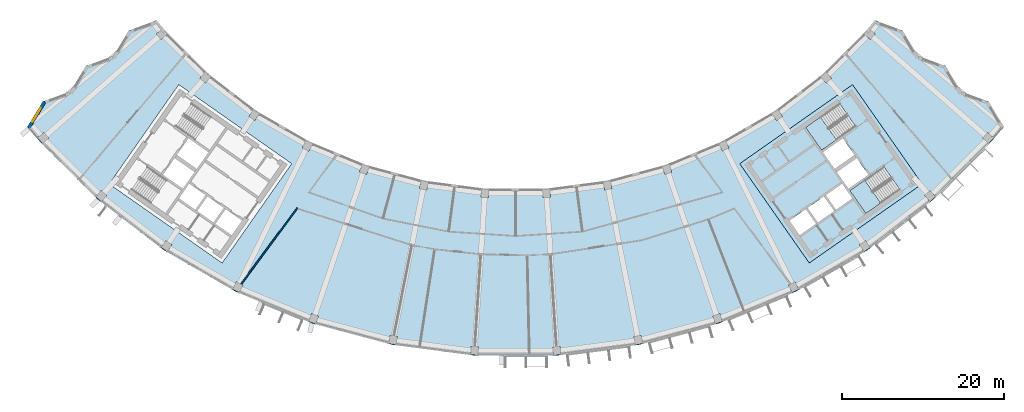
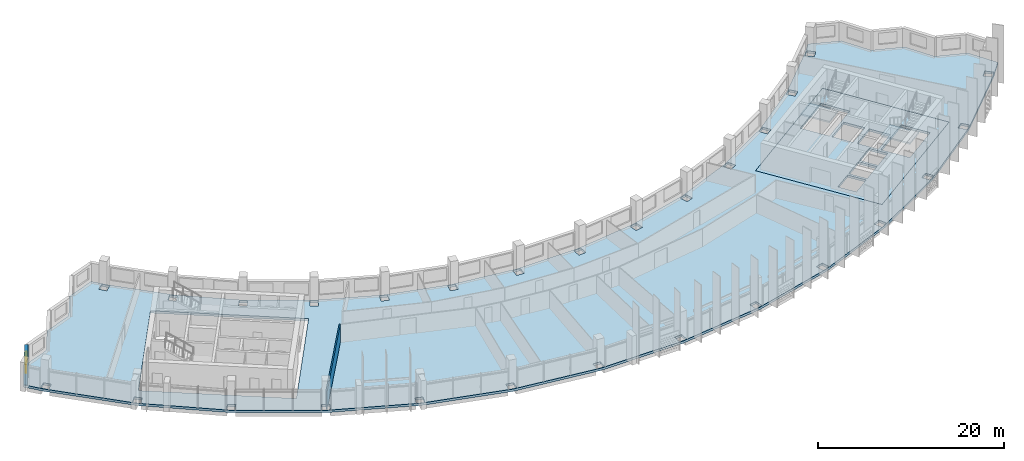
# One storey, part 2 of 28: 4 slabs, 2 walls, 1 window, 1 opening, 2 elements without a shape of their own.
"""IFC4 building model written with IfcOpenShell, lengths in metres."""

from ifc_helpers import new_model, si_unit, direction, frame, frame_2d, origin, place, context, subcontext, project, spatial, polyline, rectangle, outline, extrude, material, layer, layer_set, type_object, element, fill, aggregate, save


model = new_model("IFC4")

# Units and contexts
model_context = context("Model", 3, precision=1e-05, world=origin(), true_north=direction((0.0, 1.0)))
body_context = subcontext(model_context, "Body", "Model", "MODEL_VIEW")
ifc_project = project(units=[si_unit("LENGTHUNIT", "METRE"), si_unit("AREAUNIT", "SQUARE_METRE"), si_unit("VOLUMEUNIT", "CUBIC_METRE"), si_unit("PLANEANGLEUNIT", "RADIAN"), si_unit("MASSUNIT", "GRAM", prefix="KILO")], contexts=[model_context])

# Site, building, storey
site_placement = place(None, origin())
site = spatial("IfcSite", under=ifc_project, at=site_placement, CompositionType="ELEMENT")
building_placement = place(site_placement, origin())
building = spatial("IfcBuilding", under=site, at=building_placement, Name="Qamariyya Broadcast Tower", CompositionType="ELEMENT")
storey_placement = place(building_placement, frame((0.0, 0.0, 273.300048828125)))
storey = spatial("IfcBuildingStorey", under=building, at=storey_placement, Name="L66", CompositionType="ELEMENT", Elevation=273.300048828125)

# Slabs
ifc_material_1 = material(Name="Concrete C40/50", Category="concrete")
ifc_layer_1 = layer(ifc_material_1, 0.300048828125)
ifc_layer_set_1 = layer_set([ifc_layer_1], Name="Core floor slab 300 mm Concrete C40/50")
slab_type_1 = type_object("IfcSlabType", Name="Core floor slab 300 mm Concrete C40/50", PredefinedType="FLOOR", material=ifc_layer_set_1)
slab_1_placement = place(storey_placement, frame((0.0, 0.0, -0.300048828125)))
element("IfcSlab", 1, at=slab_1_placement, inside=storey, type_object=slab_type_1, Name="k-E-L66-slab", PredefinedType="FLOOR", context=body_context, shape_type="SweptSolid", body=[
    extrude(outline(polyline([(36.32373046875, -66.734375), (50.286376953125, -56.95751953125), (41.6826171875, -44.67041015625), (27.719970703125, -54.447021484375), (36.32373046875, -66.734375)]), holes=[polyline([(33.87353515625, -61.49169921875), (35.88037109375, -60.08642578125), (37.142333984375, -61.888427734375), (35.13525390625, -63.293701171875), (33.87353515625, -61.49169921875)]), polyline([(36.126220703125, -59.914306640625), (38.133056640625, -58.509033203125), (39.394775390625, -60.311279296875), (37.387939453125, -61.716552734375), (36.126220703125, -59.914306640625)]), polyline([(38.378662109375, -58.3369140625), (40.3857421875, -56.931640625), (41.6474609375, -58.73388671875), (39.640625, -60.13916015625), (38.378662109375, -58.3369140625)]), polyline([(39.742431640625, -55.489990234375), (42.199951171875, -53.769287109375), (43.6337890625, -55.817138671875), (41.17626953125, -57.537841796875), (39.742431640625, -55.489990234375)]), polyline([(39.45556640625, -55.080322265625), (41.9130859375, -53.359619140625), (40.47900390625, -51.311767578125), (38.021728515625, -53.032470703125), (39.45556640625, -55.080322265625)]), polyline([(40.082275390625, -47.01171875), (35.870849609375, -49.960693359375), (37.849609375, -52.78662109375), (42.06103515625, -49.837890625), (40.082275390625, -47.01171875)]), polyline([(45.559814453125, -54.834716796875), (41.348388671875, -57.783447265625), (43.3271484375, -60.609619140625), (47.538818359375, -57.66064453125), (45.559814453125, -54.834716796875)])]), origin(), (0.0, 0.0, 1.0), 0.300048828125),
])
ifc_layer_2 = layer(ifc_material_1, 0.300048828125)
ifc_layer_set_2 = layer_set([ifc_layer_2], Name="Post-tensioned floor slab 300 C40/50")
slab_type_2 = type_object("IfcSlabType", Name="Post-tensioned floor slab 300 C40/50", PredefinedType="FLOOR", material=ifc_layer_set_2)
slab_2_placement = place(storey_placement, frame((0.0, 0.0, -0.300048828125)))
element("IfcSlab", 2, at=slab_2_placement, inside=storey, type_object=slab_type_2, Name="Floor slab S4 L66", PredefinedType="FLOOR", context=body_context, shape_type="SweptSolid", body=[
    extrude(outline(polyline([(-58.51416015625, -46.755615234375), (-60.418212890625, -49.883544921875), (-58.90673828125, -51.65966796875), (-51.65966796875, -58.90673828125), (-43.52880859375, -65.145751953125), (-34.6533203125, -70.27001953125), (-25.184814453125, -74.19189453125), (-15.285400390625, -76.844482421875), (-5.124267578125, -78.18212890625), (5.124267578125, -78.18212890625), (15.285400390625, -76.844482421875), (25.184814453125, -74.19189453125), (34.6533203125, -70.27001953125), (43.52880859375, -65.145751953125), (51.65966796875, -58.90673828125), (58.90673828125, -51.65966796875), (60.418212890625, -49.883544921875), (58.51416015625, -46.755615234375), (55.097412109375, -45.490478515625), (53.192626953125, -42.362060546875), (49.776611328125, -41.097412109375), (47.87109375, -37.96826171875), (44.455810546875, -36.704345703125), (43.343505859375, -38.01123046875), (38.01123046875, -43.343505859375), (32.028564453125, -47.934326171875), (25.498046875, -51.704833984375), (18.531005859375, -54.590576171875), (11.2470703125, -56.542236328125), (3.7705078125, -57.526611328125), (-3.7705078125, -57.526611328125), (-11.2470703125, -56.542236328125), (-18.531005859375, -54.590576171875), (-25.498046875, -51.704833984375), (-32.028564453125, -47.934326171875), (-38.01123046875, -43.343505859375), (-43.343505859375, -38.01123046875), (-44.455810546875, -36.704345703125), (-47.87109375, -37.96826171875), (-49.776611328125, -41.097412109375), (-53.192626953125, -42.362060546875), (-55.097412109375, -45.490478515625), (-58.51416015625, -46.755615234375)]), holes=[polyline([(-4.668701171875, -78.11181640625), (-5.56689453125, -78.052978515625), (-5.50146484375, -77.05517578125), (-4.603271484375, -77.114013671875), (-4.668701171875, -78.11181640625)]), polyline([(-15.707275390625, -76.65869140625), (-15.511962890625, -75.677978515625), (-14.62939453125, -75.853515625), (-14.824462890625, -76.834228515625), (-15.707275390625, -76.65869140625)]), polyline([(-25.578857421875, -73.95263671875), (-25.25732421875, -73.005615234375), (-24.405029296875, -73.294921875), (-24.7265625, -74.241943359375), (-25.578857421875, -73.95263671875)]), polyline([(-35.0126953125, -69.981201171875), (-34.5703125, -69.08447265625), (-33.76318359375, -69.482421875), (-34.20556640625, -70.37939453125), (-35.0126953125, -69.981201171875)]), polyline([(-43.847412109375, -64.8125), (-43.2919921875, -63.98095703125), (-42.543701171875, -64.48095703125), (-43.09912109375, -65.3125), (-43.847412109375, -64.8125)]), polyline([(-51.93212890625, -58.53466796875), (-51.272705078125, -57.782958984375), (-50.59619140625, -58.376220703125), (-51.25537109375, -59.128173828125), (-51.93212890625, -58.53466796875)]), polyline([(-4.29150390625, -58.5947265625), (-4.22607421875, -57.596923828125), (-3.327880859375, -57.65576171875), (-3.393310546875, -58.653564453125), (-4.29150390625, -58.5947265625)]), polyline([(-11.90283203125, -57.533447265625), (-11.707763671875, -56.552490234375), (-10.8251953125, -56.72802734375), (-11.020263671875, -57.708984375), (-11.90283203125, -57.533447265625)]), polyline([(-50.286376953125, -56.95751953125), (-41.6826171875, -44.67041015625), (-27.719970703125, -54.447021484375), (-36.32373046875, -66.734375), (-50.286376953125, -56.95751953125)]), polyline([(-19.310791015625, -55.487548828125), (-18.9892578125, -54.54052734375), (-18.136962890625, -54.829833984375), (-18.45849609375, -55.77685546875), (-19.310791015625, -55.487548828125)]), polyline([(-26.387939453125, -52.4921875), (-25.94580078125, -51.595458984375), (-25.138671875, -51.993408203125), (-25.580810546875, -52.890380859375), (-26.387939453125, -52.4921875)]), polyline([(-59.128173828125, -51.25537109375), (-58.376220703125, -50.59619140625), (-57.782958984375, -51.272705078125), (-58.53466796875, -51.93212890625), (-59.128173828125, -51.25537109375)]), polyline([(-33.013916015625, -48.598876953125), (-32.458251953125, -47.767333984375), (-31.7099609375, -48.267333984375), (-32.265625, -49.098876953125), (-33.013916015625, -48.598876953125)]), polyline([(-39.074951171875, -43.873779296875), (-38.41552734375, -43.1220703125), (-37.739013671875, -43.71533203125), (-38.398193359375, -44.46728515625), (-39.074951171875, -43.873779296875)]), polyline([(-44.46728515625, -38.398193359375), (-43.71533203125, -37.739013671875), (-43.1220703125, -38.41552734375), (-43.873779296875, -39.074951171875), (-44.46728515625, -38.398193359375)]), polyline([(5.56689453125, -78.052978515625), (4.668701171875, -78.11181640625), (4.603271484375, -77.114013671875), (5.50146484375, -77.05517578125), (5.56689453125, -78.052978515625)]), polyline([(14.824462890625, -76.834228515625), (14.62939453125, -75.853515625), (15.511962890625, -75.677978515625), (15.707275390625, -76.65869140625), (14.824462890625, -76.834228515625)]), polyline([(24.7265625, -74.241943359375), (24.405029296875, -73.294921875), (25.25732421875, -73.005615234375), (25.578857421875, -73.95263671875), (24.7265625, -74.241943359375)]), polyline([(34.20556640625, -70.37939453125), (33.76318359375, -69.482421875), (34.5703125, -69.08447265625), (35.0126953125, -69.981201171875), (34.20556640625, -70.37939453125)]), polyline([(43.09912109375, -65.3125), (42.543701171875, -64.48095703125), (43.2919921875, -63.98095703125), (43.847412109375, -64.8125), (43.09912109375, -65.3125)]), polyline([(51.25537109375, -59.128173828125), (50.59619140625, -58.376220703125), (51.272705078125, -57.782958984375), (51.93212890625, -58.53466796875), (51.25537109375, -59.128173828125)]), polyline([(3.393310546875, -58.653564453125), (3.327880859375, -57.65576171875), (4.22607421875, -57.596923828125), (4.29150390625, -58.5947265625), (3.393310546875, -58.653564453125)]), polyline([(11.020263671875, -57.708984375), (10.8251953125, -56.72802734375), (11.707763671875, -56.552490234375), (11.90283203125, -57.533447265625), (11.020263671875, -57.708984375)]), polyline([(36.32373046875, -66.734375), (27.719970703125, -54.447021484375), (41.6826171875, -44.67041015625), (50.286376953125, -56.95751953125), (36.32373046875, -66.734375)]), polyline([(18.45849609375, -55.77685546875), (18.136962890625, -54.829833984375), (18.9892578125, -54.54052734375), (19.310791015625, -55.487548828125), (18.45849609375, -55.77685546875)]), polyline([(25.580810546875, -52.890380859375), (25.138671875, -51.993408203125), (25.94580078125, -51.595458984375), (26.387939453125, -52.4921875), (25.580810546875, -52.890380859375)]), polyline([(58.53466796875, -51.93212890625), (57.782958984375, -51.272705078125), (58.376220703125, -50.59619140625), (59.128173828125, -51.25537109375), (58.53466796875, -51.93212890625)]), polyline([(32.265625, -49.098876953125), (31.7099609375, -48.267333984375), (32.458251953125, -47.767333984375), (33.013916015625, -48.598876953125), (32.265625, -49.098876953125)]), polyline([(38.398193359375, -44.46728515625), (37.739013671875, -43.71533203125), (38.41552734375, -43.1220703125), (39.074951171875, -43.873779296875), (38.398193359375, -44.46728515625)]), polyline([(43.873779296875, -39.074951171875), (43.1220703125, -38.41552734375), (43.71533203125, -37.739013671875), (44.46728515625, -38.398193359375), (43.873779296875, -39.074951171875)])]), origin(), (0.0, 0.0, 1.0), 0.300048828125),
])

# Stair, slab
ifc_material_2 = material(Name="Concrete C50/60", Category="concrete")
stair_type = type_object("IfcStairType", Name="Exit stair 22 risers of 173 mm", PredefinedType="HALF_TURN_STAIR", material=ifc_material_2)
stair_1_placement = place(storey_placement, origin())
stair_1 = element("IfcStair", 3, at=stair_1_placement, inside=storey, type_object=stair_type, Name="L66 Stair E2", PredefinedType="HALF_TURN_STAIR")
ifc_layer_3 = layer(ifc_material_2, 0.199951171875)
ifc_layer_set_3 = layer_set([ifc_layer_3], Name="Stair landing")
slab_type_3 = type_object("IfcSlabType", Name="Stair landing", PredefinedType="LANDING", material=ifc_layer_set_3)
slab_3_placement = place(storey_placement, frame((0.0, 0.0, 1.699951171875)))
slab_3 = element("IfcSlab", 4, at=slab_3_placement, type_object=slab_type_3, Name="ST-E2 landing 1", PredefinedType="LANDING", context=body_context, shape_type="SweptSolid", body=[
    extrude(outline(polyline([(37.71337890625, -48.67041015625), (35.870849609375, -49.960693359375), (37.849609375, -52.78662109375), (39.692138671875, -51.49658203125), (37.71337890625, -48.67041015625)])), origin(), (0.0, 0.0, 1.0), 0.199951171875),
])
aggregate(stair_1, [slab_3])

stair_2_placement = place(storey_placement, origin())
stair_2 = element("IfcStair", 5, at=stair_2_placement, inside=storey, type_object=stair_type, Name="L66 Stair E1", PredefinedType="HALF_TURN_STAIR")
slab_4_placement = place(storey_placement, frame((0.0, 0.0, 1.699951171875)))
slab_4 = element("IfcSlab", 6, at=slab_4_placement, type_object=slab_type_3, Name="ST-E1 landing 1", PredefinedType="LANDING", context=body_context, shape_type="SweptSolid", body=[
    extrude(outline(polyline([(43.19091796875, -56.493408203125), (41.348388671875, -57.783447265625), (43.3271484375, -60.609619140625), (45.169677734375, -59.319580078125), (43.19091796875, -56.493408203125)])), origin(), (0.0, 0.0, 1.0), 0.199951171875),
])
aggregate(stair_2, [slab_4])

# Wall
ifc_material_3 = material(Name="Gypsum board partition")
ifc_layer_4 = layer(ifc_material_3, 0.14990234375)
ifc_layer_set_4 = layer_set([ifc_layer_4], Name="Corridor partition 150 EI 60")
wall_type_1 = type_object("IfcWallType", Name="Corridor partition 150 EI 60", PredefinedType="PARTITIONING", material=ifc_layer_set_4)
wall_1_placement = place(storey_placement, frame((-27.012939453125, -59.919189453125, 0.0), z_axis=(0.0, 0.0, 1.0), x_axis=(-0.593869528805, -0.804561360467, 0.0)))
element("IfcWall", 7, at=wall_1_placement, inside=storey, type_object=wall_type_1, Name="Partition L66-002", PredefinedType="PARTITIONING", context=body_context, shape_type="SweptSolid", body=[
    extrude(rectangle(XDim=12.665283203125, YDim=0.14990234375, at=frame_2d((6.33251953125, 0.0))), origin(), (0.0, 0.0, 1.0), 2.39990234375),
])

# Wall, opening, window
ifc_material_4 = material(Name="Terracotta", Category="masonry")
ifc_layer_5 = layer(ifc_material_4, 0.39990234375)
ifc_layer_set_5 = layer_set([ifc_layer_5], Name="Terracotta clad wall 400")
wall_type_2 = type_object("IfcWallType", Name="Terracotta clad wall 400", PredefinedType="SOLIDWALL", material=ifc_layer_set_5)
wall_2_placement = place(storey_placement, frame((-58.314697265625, -46.812255859375, 0.0), z_axis=(0.0, 0.0, 1.0), x_axis=(-0.519913608832, -0.854218847457, 0.0)))
wall_2 = element("IfcWall", 8, at=wall_2_placement, inside=storey, type_object=wall_type_2, Name="e-wl-L66-capW5", PredefinedType="SOLIDWALL", context=body_context, shape_type="SweptSolid", body=[
    extrude(rectangle(XDim=3.71728515625, YDim=0.39990234375, at=frame_2d((1.858642578125, 0.0))), origin(), (0.0, 0.0, 1.0), 2.699951171875),
])
opening_placement = place(wall_2_placement, frame((0.858642578125, 0.0, 0.89990234375)))
opening = element("IfcOpeningElement", 9, at=opening_placement, cuts=wall_2, Name="Opening W4", PredefinedType="OPENING", context=body_context, shape_type="SweptSolid", body=[
    extrude(rectangle(XDim=2.0, YDim=1.5, at=frame_2d((1.0, 0.75))), frame((0.0, 0.2099609375, 0.0), z_axis=(0.0, -1.0, 0.0), x_axis=(1.0, 0.0, 0.0)), (0.0, 0.0, 1.0), 0.419921875),
])
ifc_material_5 = material(Name="Clear low-e double glazed unit in aluminium frame", Category="aluminium")
window_type = type_object("IfcWindowType", Name="Horn bay window 2000 x 1500", PartitioningType="SINGLE_PANEL", PredefinedType="WINDOW", material=ifc_material_5)
window_placement = place(opening_placement, origin())
window = element("IfcWindow", 10, at=window_placement, inside=storey, type_object=window_type, Name="e-w-L66-capW5", OverallHeight=1.5, OverallWidth=2.0, PartitioningType="SINGLE_PANEL", PredefinedType="WINDOW", context=body_context, shape_type="SweptSolid", body=[
    extrude(rectangle(XDim=2.0, YDim=1.5, at=frame_2d((1.0, 0.75))), frame((0.0, 0.030029296875, 0.0), z_axis=(0.0, -1.0, 0.0), x_axis=(1.0, 0.0, 0.0)), (0.0, 0.0, 1.0), 0.06005859375),
])
fill(opening, window)

save(model, "model.ifc")
